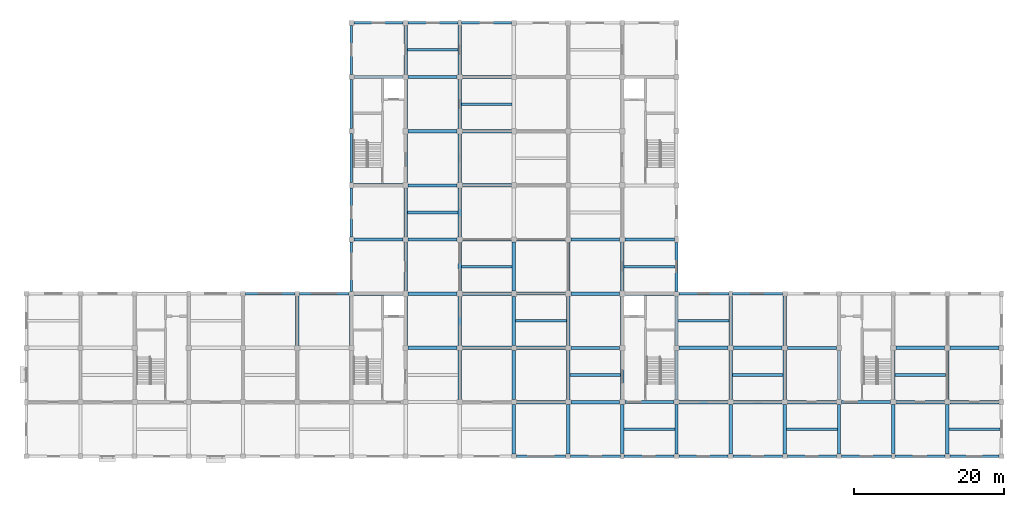
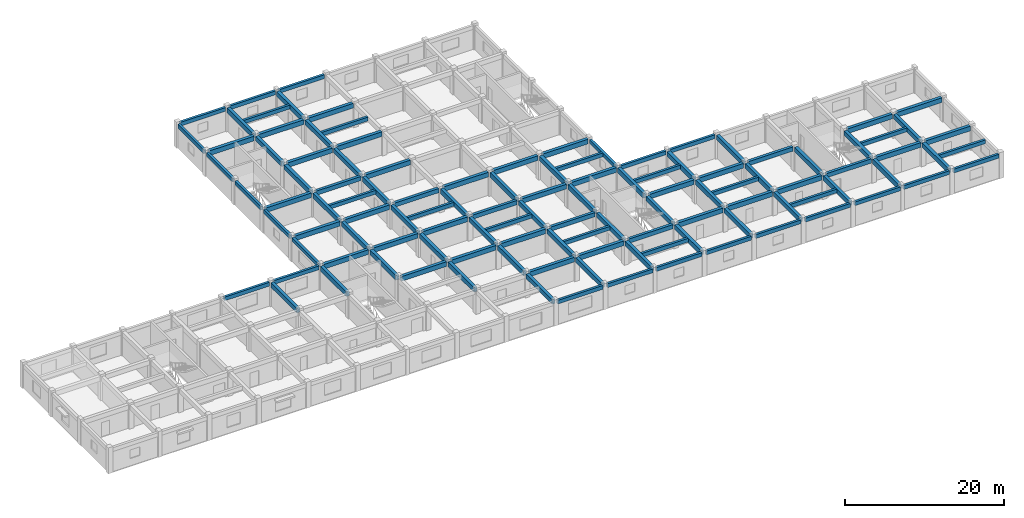
# One storey, part 2 of 11: 115 beams.
"""IFC4 building model written with IfcOpenShell, lengths in metres."""

from ifc_helpers import new_model, si_unit, direction, frame, origin, origin_2d, place, context, subcontext, project, spatial, rectangle, extrude, material, material_profile, profile_set, type_object, element, save


model = new_model("IFC4")

# Units and contexts
model_context = context("Model", 3, precision=1e-05, world=origin(), true_north=direction((0.0, 1.0)))
body_context = subcontext(model_context, "Body", "Model", "MODEL_VIEW")
ifc_project = project(units=[si_unit("LENGTHUNIT", "METRE"), si_unit("AREAUNIT", "SQUARE_METRE"), si_unit("VOLUMEUNIT", "CUBIC_METRE"), si_unit("PLANEANGLEUNIT", "RADIAN"), si_unit("MASSUNIT", "GRAM", prefix="KILO")], contexts=[model_context])

# Site, building, storey
site_placement = place(None, origin())
site = spatial("IfcSite", under=ifc_project, at=site_placement, CompositionType="ELEMENT")
building_placement = place(site_placement, origin())
building = spatial("IfcBuilding", under=site, at=building_placement, Name="Cendaluz Park School", CompositionType="ELEMENT")
storey_placement = place(building_placement, frame((0.0, 0.0, 26.60009765625)))
storey = spatial("IfcBuildingStorey", under=building, at=storey_placement, Name="L06", CompositionType="ELEMENT", Elevation=26.60009765625)

# Beams
ifc_material = material(Name="Concrete C40/50", Category="concrete")
ifc_material_profile_1 = material_profile(ifc_material, rectangle(XDim=0.449951171875, YDim=0.719970703125, at=origin_2d()), Name="RC 450x720", Category="concrete")
ifc_profile_set_1 = profile_set([ifc_material_profile_1], Name="Concrete C40/50")
beam_type_1 = type_object("IfcBeamType", Name="BM-RC02", PredefinedType="BEAM", material=ifc_profile_set_1)
for number, where, z_axis, x_axis, name in (
    (1, (65.125, 28.800048828125, 3.31982421875), (1.0, 0.0, 0.0), (0.0, 1.0, 0.0), "BM-L06-BMRC02-0026"),
    (2, (65.125, 36.0, 3.31982421875), (1.0, 0.0, 0.0), (0.0, 1.0, 0.0), "BM-L06-BMRC02-0027"),
):
    element("IfcBeam", number, at=place(storey_placement, frame(where, z_axis=z_axis, x_axis=x_axis)), inside=storey, type_object=beam_type_1, Name=name, PredefinedType="BEAM", context=body_context, shape_type="SweptSolid", body=[
        extrude(rectangle(XDim=0.449951171875, YDim=0.719970703125, at=origin_2d()), origin(), (0.0, 0.0, 1.0), 6.52490234375),
    ])
beam_1_placement = place(storey_placement, frame((65.050048828125, 43.199951171875, 3.31982421875), z_axis=(1.0, 0.0, 0.0), x_axis=(0.0, 1.0, 0.0)))
element("IfcBeam", 3, at=beam_1_placement, inside=storey, type_object=beam_type_1, Name="BM-L06-BMRC02-0028", PredefinedType="BEAM", context=body_context, shape_type="SweptSolid", body=[
    extrude(rectangle(XDim=0.449951171875, YDim=0.719970703125, at=origin_2d()), origin(), (0.0, 0.0, 1.0), 6.599853515625),
])
beam_2_placement = place(storey_placement, frame((65.125, 57.60009765625, 3.31982421875), z_axis=(1.0, 0.0, 0.0), x_axis=(0.0, 1.0, 0.0)))
element("IfcBeam", 4, at=beam_2_placement, inside=storey, type_object=beam_type_1, Name="BM-L06-BMRC02-0029", PredefinedType="BEAM", context=body_context, shape_type="SweptSolid", body=[
    extrude(rectangle(XDim=0.449951171875, YDim=0.719970703125, at=origin_2d()), origin(), (0.0, 0.0, 1.0), 6.52490234375),
])
for number, where, z_axis, x_axis, name in (
    (5, (72.35009765625, 21.60009765625, 3.31982421875), (1.0, 0.0, 0.0), (0.0, 1.0, 0.0), "BM-L06-BMRC02-0033"),
    (6, (72.35009765625, 28.800048828125, 3.31982421875), (1.0, 0.0, 0.0), (0.0, 1.0, 0.0), "BM-L06-BMRC02-0034"),
    (7, (72.35009765625, 36.0, 3.31982421875), (1.0, 0.0, 0.0), (0.0, 1.0, 0.0), "BM-L06-BMRC02-0035"),
    (8, (72.35009765625, 50.39990234375, 3.31982421875), (1.0, 0.0, 0.0), (0.0, 1.0, 0.0), "BM-L06-BMRC02-0037"),
    (9, (72.35009765625, 57.60009765625, 3.31982421875), (1.0, 0.0, 0.0), (0.0, 1.0, 0.0), "BM-L06-BMRC02-0038"),
    (10, (79.550048828125, 21.60009765625, 3.31982421875), (1.0, 0.0, 0.0), (0.0, 1.0, 0.0), "BM-L06-BMRC02-0042"),
    (11, (79.550048828125, 28.800048828125, 3.31982421875), (1.0, 0.0, 0.0), (0.0, 1.0, 0.0), "BM-L06-BMRC02-0043"),
    (12, (79.550048828125, 43.199951171875, 3.31982421875), (1.0, 0.0, 0.0), (0.0, 1.0, 0.0), "BM-L06-BMRC02-0045"),
    (13, (79.550048828125, 50.39990234375, 3.31982421875), (1.0, 0.0, 0.0), (0.0, 1.0, 0.0), "BM-L06-BMRC02-0046"),
    (14, (79.550048828125, 57.60009765625, 3.31982421875), (1.0, 0.0, 0.0), (0.0, 1.0, 0.0), "BM-L06-BMRC02-0047"),
    (15, (86.75, 14.39990234375, 3.31982421875), (1.0, 0.0, 0.0), (0.0, 1.0, 0.0), "BM-L06-BMRC02-0050"),
    (16, (86.75, 21.60009765625, 3.31982421875), (1.0, 0.0, 0.0), (0.0, 1.0, 0.0), "BM-L06-BMRC02-0051"),
    (17, (86.75, 36.0, 3.31982421875), (1.0, 0.0, 0.0), (0.0, 1.0, 0.0), "BM-L06-BMRC02-0053"),
    (18, (93.949951171875, 14.39990234375, 3.31982421875), (1.0, 0.0, 0.0), (0.0, 1.0, 0.0), "BM-L06-BMRC02-0059"),
    (19, (93.949951171875, 28.800048828125, 3.31982421875), (1.0, 0.0, 0.0), (0.0, 1.0, 0.0), "BM-L06-BMRC02-0061"),
    (20, (93.949951171875, 36.0, 3.31982421875), (1.0, 0.0, 0.0), (0.0, 1.0, 0.0), "BM-L06-BMRC02-0062"),
):
    element("IfcBeam", number, at=place(storey_placement, frame(where, z_axis=z_axis, x_axis=x_axis)), inside=storey, type_object=beam_type_1, Name=name, PredefinedType="BEAM", context=body_context, shape_type="SweptSolid", body=[
        extrude(rectangle(XDim=0.449951171875, YDim=0.719970703125, at=origin_2d()), origin(), (0.0, 0.0, 1.0), 6.5),
    ])
beam_3_placement = place(storey_placement, frame((101.14990234375, 28.800048828125, 3.31982421875), z_axis=(1.0, 0.0, 0.0), x_axis=(0.0, 1.0, 0.0)))
element("IfcBeam", 21, at=beam_3_placement, inside=storey, type_object=beam_type_1, Name="BM-L06-BMRC02-0069", PredefinedType="BEAM", context=body_context, shape_type="SweptSolid", body=[
    extrude(rectangle(XDim=0.449951171875, YDim=0.719970703125, at=origin_2d()), origin(), (0.0, 0.0, 1.0), 6.525146484375),
])
beam_4_placement = place(storey_placement, frame((101.14990234375, 36.0, 3.31982421875), z_axis=(1.0, 0.0, 0.0), x_axis=(0.0, 1.0, 0.0)))
element("IfcBeam", 22, at=beam_4_placement, inside=storey, type_object=beam_type_1, Name="BM-L06-BMRC02-0070", PredefinedType="BEAM", context=body_context, shape_type="SweptSolid", body=[
    extrude(rectangle(XDim=0.449951171875, YDim=0.719970703125, at=origin_2d()), origin(), (0.0, 0.0, 1.0), 6.60009765625),
])
for number, where, z_axis, x_axis, name in (
    (23, (108.35009765625, 14.39990234375, 3.31982421875), (1.0, 0.0, 0.0), (0.0, 1.0, 0.0), "BM-L06-BMRC02-0075"),
    (24, (108.35009765625, 21.60009765625, 3.31982421875), (1.0, 0.0, 0.0), (0.0, 1.0, 0.0), "BM-L06-BMRC02-0076"),
    (25, (115.550048828125, 14.39990234375, 3.31982421875), (1.0, 0.0, 0.0), (0.0, 1.0, 0.0), "BM-L06-BMRC02-0079"),
    (26, (115.550048828125, 21.60009765625, 3.31982421875), (1.0, 0.0, 0.0), (0.0, 1.0, 0.0), "BM-L06-BMRC02-0080"),
    (27, (122.75, 14.39990234375, 3.31982421875), (1.0, 0.0, 0.0), (0.0, 1.0, 0.0), "BM-L06-BMRC02-0083"),
    (28, (137.14990234375, 14.39990234375, 3.31982421875), (1.0, 0.0, 0.0), (0.0, 1.0, 0.0), "BM-L06-BMRC02-0090"),
    (29, (137.14990234375, 21.60009765625, 3.31982421875), (1.0, 0.0, 0.0), (0.0, 1.0, 0.0), "BM-L06-BMRC02-0091"),
):
    element("IfcBeam", number, at=place(storey_placement, frame(where, z_axis=z_axis, x_axis=x_axis)), inside=storey, type_object=beam_type_1, Name=name, PredefinedType="BEAM", context=body_context, shape_type="SweptSolid", body=[
        extrude(rectangle(XDim=0.449951171875, YDim=0.719970703125, at=origin_2d()), origin(), (0.0, 0.0, 1.0), 6.5),
    ])
for number, where, z_axis, x_axis, name in (
    (30, (144.35009765625, 14.39990234375, 3.31982421875), (1.0, 0.0, 0.0), (0.0, 1.0, 0.0), "BM-L06-BMRC02-0094"),
    (31, (144.35009765625, 21.60009765625, 3.31982421875), (1.0, 0.0, 0.0), (0.0, 1.0, 0.0), "BM-L06-BMRC02-0095"),
):
    element("IfcBeam", number, at=place(storey_placement, frame(where, z_axis=z_axis, x_axis=x_axis)), inside=storey, type_object=beam_type_1, Name=name, PredefinedType="BEAM", context=body_context, shape_type="SweptSolid", body=[
        extrude(rectangle(XDim=0.449951171875, YDim=0.719970703125, at=origin_2d()), origin(), (0.0, 0.0, 1.0), 6.52490234375),
    ])
for number, where, z_axis, x_axis, name in (
    (32, (57.60009765625, 21.949951171875, 3.31982421875), (0.0, 1.0, 0.0), (-1.0, 0.0, 0.0), "BM-L06-BMRC02-0114"),
    (33, (64.800048828125, 21.949951171875, 3.31982421875), (0.0, 1.0, 0.0), (-1.0, 0.0, 0.0), "BM-L06-BMRC02-0117"),
):
    element("IfcBeam", number, at=place(storey_placement, frame(where, z_axis=z_axis, x_axis=x_axis)), inside=storey, type_object=beam_type_1, Name=name, PredefinedType="BEAM", context=body_context, shape_type="SweptSolid", body=[
        extrude(rectangle(XDim=0.449951171875, YDim=0.719970703125, at=origin_2d()), origin(), (0.0, 0.0, 1.0), 6.525146484375),
    ])
for number, where, z_axis, x_axis, name in (
    (34, (72.0, 21.949951171875, 3.31982421875), (0.0, 1.0, 0.0), (-1.0, 0.0, 0.0), "BM-L06-BMRC02-0125"),
    (35, (72.0, 29.14990234375, 3.31982421875), (0.0, 1.0, 0.0), (-1.0, 0.0, 0.0), "BM-L06-BMRC02-0126"),
    (36, (72.0, 36.35009765625, 3.31982421875), (0.0, 1.0, 0.0), (-1.0, 0.0, 0.0), "BM-L06-BMRC02-0127"),
    (37, (72.0, 43.550048828125, 3.31982421875), (0.0, 1.0, 0.0), (-1.0, 0.0, 0.0), "BM-L06-BMRC02-0128"),
    (38, (72.0, 50.75, 3.31982421875), (0.0, 1.0, 0.0), (-1.0, 0.0, 0.0), "BM-L06-BMRC02-0129"),
):
    element("IfcBeam", number, at=place(storey_placement, frame(where, z_axis=z_axis, x_axis=x_axis)), inside=storey, type_object=beam_type_1, Name=name, PredefinedType="BEAM", context=body_context, shape_type="SweptSolid", body=[
        extrude(rectangle(XDim=0.449951171875, YDim=0.719970703125, at=origin_2d()), origin(), (0.0, 0.0, 1.0), 6.5),
    ])
beam_5_placement = place(storey_placement, frame((72.0, 57.949951171875, 3.31982421875), z_axis=(0.0, 1.0, 0.0), x_axis=(-1.0, 0.0, 0.0)))
element("IfcBeam", 39, at=beam_5_placement, inside=storey, type_object=beam_type_1, Name="BM-L06-BMRC02-0130", PredefinedType="BEAM", context=body_context, shape_type="SweptSolid", body=[
    extrude(rectangle(XDim=0.449951171875, YDim=0.719970703125, at=origin_2d()), origin(), (0.0, 0.0, 1.0), 6.525146484375),
])
for number, where, z_axis, x_axis, name in (
    (40, (79.199951171875, 14.75, 3.31982421875), (0.0, 1.0, 0.0), (-1.0, 0.0, 0.0), "BM-L06-BMRC02-0132"),
    (41, (79.199951171875, 21.949951171875, 3.31982421875), (0.0, 1.0, 0.0), (-1.0, 0.0, 0.0), "BM-L06-BMRC02-0133"),
    (42, (79.199951171875, 29.14990234375, 3.31982421875), (0.0, 1.0, 0.0), (-1.0, 0.0, 0.0), "BM-L06-BMRC02-0134"),
    (43, (79.199951171875, 36.35009765625, 3.31982421875), (0.0, 1.0, 0.0), (-1.0, 0.0, 0.0), "BM-L06-BMRC02-0135"),
    (44, (79.199951171875, 43.550048828125, 3.31982421875), (0.0, 1.0, 0.0), (-1.0, 0.0, 0.0), "BM-L06-BMRC02-0136"),
    (45, (79.199951171875, 50.75, 3.31982421875), (0.0, 1.0, 0.0), (-1.0, 0.0, 0.0), "BM-L06-BMRC02-0137"),
):
    element("IfcBeam", number, at=place(storey_placement, frame(where, z_axis=z_axis, x_axis=x_axis)), inside=storey, type_object=beam_type_1, Name=name, PredefinedType="BEAM", context=body_context, shape_type="SweptSolid", body=[
        extrude(rectangle(XDim=0.449951171875, YDim=0.719970703125, at=origin_2d()), origin(), (0.0, 0.0, 1.0), 6.5),
    ])
beam_6_placement = place(storey_placement, frame((79.199951171875, 57.949951171875, 3.31982421875), z_axis=(0.0, 1.0, 0.0), x_axis=(-1.0, 0.0, 0.0)))
element("IfcBeam", 46, at=beam_6_placement, inside=storey, type_object=beam_type_1, Name="BM-L06-BMRC02-0138", PredefinedType="BEAM", context=body_context, shape_type="SweptSolid", body=[
    extrude(rectangle(XDim=0.449951171875, YDim=0.719970703125, at=origin_2d()), origin(), (0.0, 0.0, 1.0), 6.47509765625),
])
beam_7_placement = place(storey_placement, frame((86.39990234375, 7.52490234375, 3.31982421875), z_axis=(0.0, 1.0, 0.0), x_axis=(-1.0, 0.0, 0.0)))
element("IfcBeam", 47, at=beam_7_placement, inside=storey, type_object=beam_type_1, Name="BM-L06-BMRC02-0139", PredefinedType="BEAM", context=body_context, shape_type="SweptSolid", body=[
    extrude(rectangle(XDim=0.449951171875, YDim=0.719970703125, at=origin_2d()), origin(), (0.0, 0.0, 1.0), 6.525146484375),
])
for number, where, z_axis, x_axis, name in (
    (48, (86.39990234375, 14.75, 3.31982421875), (0.0, 1.0, 0.0), (-1.0, 0.0, 0.0), "BM-L06-BMRC02-0140"),
    (49, (86.39990234375, 21.949951171875, 3.31982421875), (0.0, 1.0, 0.0), (-1.0, 0.0, 0.0), "BM-L06-BMRC02-0141"),
    (50, (86.39990234375, 29.14990234375, 3.31982421875), (0.0, 1.0, 0.0), (-1.0, 0.0, 0.0), "BM-L06-BMRC02-0142"),
):
    element("IfcBeam", number, at=place(storey_placement, frame(where, z_axis=z_axis, x_axis=x_axis)), inside=storey, type_object=beam_type_1, Name=name, PredefinedType="BEAM", context=body_context, shape_type="SweptSolid", body=[
        extrude(rectangle(XDim=0.449951171875, YDim=0.719970703125, at=origin_2d()), origin(), (0.0, 0.0, 1.0), 6.5),
    ])
beam_8_placement = place(storey_placement, frame((93.60009765625, 7.52490234375, 3.31982421875), z_axis=(0.0, 1.0, 0.0), x_axis=(-1.0, 0.0, 0.0)))
element("IfcBeam", 51, at=beam_8_placement, inside=storey, type_object=beam_type_1, Name="BM-L06-BMRC02-0147", PredefinedType="BEAM", context=body_context, shape_type="SweptSolid", body=[
    extrude(rectangle(XDim=0.449951171875, YDim=0.719970703125, at=origin_2d()), origin(), (0.0, 0.0, 1.0), 6.525146484375),
])
for number, where, z_axis, x_axis, name in (
    (52, (93.60009765625, 14.75, 3.31982421875), (0.0, 1.0, 0.0), (-1.0, 0.0, 0.0), "BM-L06-BMRC02-0148"),
    (53, (93.60009765625, 21.949951171875, 3.31982421875), (0.0, 1.0, 0.0), (-1.0, 0.0, 0.0), "BM-L06-BMRC02-0149"),
    (54, (93.60009765625, 29.14990234375, 3.31982421875), (0.0, 1.0, 0.0), (-1.0, 0.0, 0.0), "BM-L06-BMRC02-0150"),
):
    element("IfcBeam", number, at=place(storey_placement, frame(where, z_axis=z_axis, x_axis=x_axis)), inside=storey, type_object=beam_type_1, Name=name, PredefinedType="BEAM", context=body_context, shape_type="SweptSolid", body=[
        extrude(rectangle(XDim=0.449951171875, YDim=0.719970703125, at=origin_2d()), origin(), (0.0, 0.0, 1.0), 6.5),
    ])
beam_9_placement = place(storey_placement, frame((100.800048828125, 7.574951171875, 3.31982421875), z_axis=(0.0, 1.0, 0.0), x_axis=(-1.0, 0.0, 0.0)))
element("IfcBeam", 55, at=beam_9_placement, inside=storey, type_object=beam_type_1, Name="BM-L06-BMRC02-0155", PredefinedType="BEAM", context=body_context, shape_type="SweptSolid", body=[
    extrude(rectangle(XDim=0.449951171875, YDim=0.719970703125, at=origin_2d()), origin(), (0.0, 0.0, 1.0), 6.47509765625),
])
for number, where, z_axis, x_axis, name in (
    (56, (100.800048828125, 14.75, 3.31982421875), (0.0, 1.0, 0.0), (-1.0, 0.0, 0.0), "BM-L06-BMRC02-0156"),
    (57, (100.800048828125, 21.949951171875, 3.31982421875), (0.0, 1.0, 0.0), (-1.0, 0.0, 0.0), "BM-L06-BMRC02-0157"),
    (58, (100.800048828125, 29.14990234375, 3.31982421875), (0.0, 1.0, 0.0), (-1.0, 0.0, 0.0), "BM-L06-BMRC02-0158"),
):
    element("IfcBeam", number, at=place(storey_placement, frame(where, z_axis=z_axis, x_axis=x_axis)), inside=storey, type_object=beam_type_1, Name=name, PredefinedType="BEAM", context=body_context, shape_type="SweptSolid", body=[
        extrude(rectangle(XDim=0.449951171875, YDim=0.719970703125, at=origin_2d()), origin(), (0.0, 0.0, 1.0), 6.5),
    ])
beam_10_placement = place(storey_placement, frame((108.0, 7.52490234375, 3.31982421875), z_axis=(0.0, 1.0, 0.0), x_axis=(-1.0, 0.0, 0.0)))
element("IfcBeam", 59, at=beam_10_placement, inside=storey, type_object=beam_type_1, Name="BM-L06-BMRC02-0163", PredefinedType="BEAM", context=body_context, shape_type="SweptSolid", body=[
    extrude(rectangle(XDim=0.449951171875, YDim=0.719970703125, at=origin_2d()), origin(), (0.0, 0.0, 1.0), 6.525146484375),
])
beam_11_placement = place(storey_placement, frame((108.0, 14.75, 3.31982421875), z_axis=(0.0, 1.0, 0.0), x_axis=(-1.0, 0.0, 0.0)))
element("IfcBeam", 60, at=beam_11_placement, inside=storey, type_object=beam_type_1, Name="BM-L06-BMRC02-0164", PredefinedType="BEAM", context=body_context, shape_type="SweptSolid", body=[
    extrude(rectangle(XDim=0.449951171875, YDim=0.719970703125, at=origin_2d()), origin(), (0.0, 0.0, 1.0), 6.5),
])
for number, where, z_axis, x_axis, name in (
    (61, (108.0, 21.949951171875, 3.31982421875), (0.0, 1.0, 0.0), (-1.0, 0.0, 0.0), "BM-L06-BMRC02-0165"),
    (62, (115.199951171875, 7.52490234375, 3.31982421875), (0.0, 1.0, 0.0), (-1.0, 0.0, 0.0), "BM-L06-BMRC02-0171"),
):
    element("IfcBeam", number, at=place(storey_placement, frame(where, z_axis=z_axis, x_axis=x_axis)), inside=storey, type_object=beam_type_1, Name=name, PredefinedType="BEAM", context=body_context, shape_type="SweptSolid", body=[
        extrude(rectangle(XDim=0.449951171875, YDim=0.719970703125, at=origin_2d()), origin(), (0.0, 0.0, 1.0), 6.525146484375),
    ])
beam_12_placement = place(storey_placement, frame((115.199951171875, 14.75, 3.31982421875), z_axis=(0.0, 1.0, 0.0), x_axis=(-1.0, 0.0, 0.0)))
element("IfcBeam", 63, at=beam_12_placement, inside=storey, type_object=beam_type_1, Name="BM-L06-BMRC02-0172", PredefinedType="BEAM", context=body_context, shape_type="SweptSolid", body=[
    extrude(rectangle(XDim=0.449951171875, YDim=0.719970703125, at=origin_2d()), origin(), (0.0, 0.0, 1.0), 6.5),
])
beam_13_placement = place(storey_placement, frame((115.199951171875, 21.949951171875, 3.31982421875), z_axis=(0.0, 1.0, 0.0), x_axis=(-1.0, 0.0, 0.0)))
element("IfcBeam", 64, at=beam_13_placement, inside=storey, type_object=beam_type_1, Name="BM-L06-BMRC02-0173", PredefinedType="BEAM", context=body_context, shape_type="SweptSolid", body=[
    extrude(rectangle(XDim=0.449951171875, YDim=0.719970703125, at=origin_2d()), origin(), (0.0, 0.0, 1.0), 6.47509765625),
])
beam_14_placement = place(storey_placement, frame((122.39990234375, 7.52490234375, 3.31982421875), z_axis=(0.0, 1.0, 0.0), x_axis=(-1.0, 0.0, 0.0)))
element("IfcBeam", 65, at=beam_14_placement, inside=storey, type_object=beam_type_1, Name="BM-L06-BMRC02-0174", PredefinedType="BEAM", context=body_context, shape_type="SweptSolid", body=[
    extrude(rectangle(XDim=0.449951171875, YDim=0.719970703125, at=origin_2d()), origin(), (0.0, 0.0, 1.0), 6.525146484375),
])
beam_15_placement = place(storey_placement, frame((122.39990234375, 14.75, 3.31982421875), z_axis=(0.0, 1.0, 0.0), x_axis=(-1.0, 0.0, 0.0)))
element("IfcBeam", 66, at=beam_15_placement, inside=storey, type_object=beam_type_1, Name="BM-L06-BMRC02-0175", PredefinedType="BEAM", context=body_context, shape_type="SweptSolid", body=[
    extrude(rectangle(XDim=0.449951171875, YDim=0.719970703125, at=origin_2d()), origin(), (0.0, 0.0, 1.0), 6.5),
])
for number, where, z_axis, x_axis, name in (
    (67, (122.39990234375, 21.949951171875, 3.31982421875), (0.0, 1.0, 0.0), (-1.0, 0.0, 0.0), "BM-L06-BMRC02-0176"),
    (68, (129.60009765625, 7.52490234375, 3.31982421875), (0.0, 1.0, 0.0), (-1.0, 0.0, 0.0), "BM-L06-BMRC02-0177"),
):
    element("IfcBeam", number, at=place(storey_placement, frame(where, z_axis=z_axis, x_axis=x_axis)), inside=storey, type_object=beam_type_1, Name=name, PredefinedType="BEAM", context=body_context, shape_type="SweptSolid", body=[
        extrude(rectangle(XDim=0.449951171875, YDim=0.719970703125, at=origin_2d()), origin(), (0.0, 0.0, 1.0), 6.525146484375),
    ])
beam_16_placement = place(storey_placement, frame((129.60009765625, 14.75, 3.31982421875), z_axis=(0.0, 1.0, 0.0), x_axis=(-1.0, 0.0, 0.0)))
element("IfcBeam", 69, at=beam_16_placement, inside=storey, type_object=beam_type_1, Name="BM-L06-BMRC02-0178", PredefinedType="BEAM", context=body_context, shape_type="SweptSolid", body=[
    extrude(rectangle(XDim=0.449951171875, YDim=0.719970703125, at=origin_2d()), origin(), (0.0, 0.0, 1.0), 6.5),
])
beam_17_placement = place(storey_placement, frame((136.800048828125, 7.574951171875, 3.31982421875), z_axis=(0.0, 1.0, 0.0), x_axis=(-1.0, 0.0, 0.0)))
element("IfcBeam", 70, at=beam_17_placement, inside=storey, type_object=beam_type_1, Name="BM-L06-BMRC02-0180", PredefinedType="BEAM", context=body_context, shape_type="SweptSolid", body=[
    extrude(rectangle(XDim=0.449951171875, YDim=0.719970703125, at=origin_2d()), origin(), (0.0, 0.0, 1.0), 6.47509765625),
])
beam_18_placement = place(storey_placement, frame((136.800048828125, 14.75, 3.31982421875), z_axis=(0.0, 1.0, 0.0), x_axis=(-1.0, 0.0, 0.0)))
element("IfcBeam", 71, at=beam_18_placement, inside=storey, type_object=beam_type_1, Name="BM-L06-BMRC02-0181", PredefinedType="BEAM", context=body_context, shape_type="SweptSolid", body=[
    extrude(rectangle(XDim=0.449951171875, YDim=0.719970703125, at=origin_2d()), origin(), (0.0, 0.0, 1.0), 6.5),
])
beam_19_placement = place(storey_placement, frame((144.0, 7.52490234375, 3.31982421875), z_axis=(0.0, 1.0, 0.0), x_axis=(-1.0, 0.0, 0.0)))
element("IfcBeam", 72, at=beam_19_placement, inside=storey, type_object=beam_type_1, Name="BM-L06-BMRC02-0183", PredefinedType="BEAM", context=body_context, shape_type="SweptSolid", body=[
    extrude(rectangle(XDim=0.449951171875, YDim=0.719970703125, at=origin_2d()), origin(), (0.0, 0.0, 1.0), 6.525146484375),
])
beam_20_placement = place(storey_placement, frame((144.0, 14.75, 3.31982421875), z_axis=(0.0, 1.0, 0.0), x_axis=(-1.0, 0.0, 0.0)))
element("IfcBeam", 73, at=beam_20_placement, inside=storey, type_object=beam_type_1, Name="BM-L06-BMRC02-0184", PredefinedType="BEAM", context=body_context, shape_type="SweptSolid", body=[
    extrude(rectangle(XDim=0.449951171875, YDim=0.719970703125, at=origin_2d()), origin(), (0.0, 0.0, 1.0), 6.5),
])
ifc_material_profile_2 = material_profile(ifc_material, rectangle(XDim=0.39990234375, YDim=0.64990234375, at=origin_2d()), Name="RC 400x650", Category="concrete")
ifc_profile_set_2 = profile_set([ifc_material_profile_2], Name="Concrete C40/50")
beam_type_2 = type_object("IfcBeamType", Name="BM-RC03", PredefinedType="T_BEAM", material=ifc_profile_set_2)
for number, where, z_axis, x_axis, name in (
    (74, (72.35009765625, 43.199951171875, 3.35498046875), (1.0, 0.0, 0.0), (0.0, 1.0, 0.0), "BM-L06-BMRC03-0036"),
    (75, (79.550048828125, 36.0, 3.35498046875), (1.0, 0.0, 0.0), (0.0, 1.0, 0.0), "BM-L06-BMRC03-0044"),
    (76, (86.75, 28.800048828125, 3.35498046875), (1.0, 0.0, 0.0), (0.0, 1.0, 0.0), "BM-L06-BMRC03-0052"),
    (77, (93.949951171875, 21.60009765625, 3.35498046875), (1.0, 0.0, 0.0), (0.0, 1.0, 0.0), "BM-L06-BMRC03-0060"),
    (78, (101.14990234375, 14.39990234375, 3.35498046875), (1.0, 0.0, 0.0), (0.0, 1.0, 0.0), "BM-L06-BMRC03-0068"),
    (79, (122.75, 21.60009765625, 3.35498046875), (1.0, 0.0, 0.0), (0.0, 1.0, 0.0), "BM-L06-BMRC03-0084"),
    (80, (129.949951171875, 14.39990234375, 3.35498046875), (1.0, 0.0, 0.0), (0.0, 1.0, 0.0), "BM-L06-BMRC03-0087"),
):
    element("IfcBeam", number, at=place(storey_placement, frame(where, z_axis=z_axis, x_axis=x_axis)), inside=storey, type_object=beam_type_2, Name=name, PredefinedType="T_BEAM", context=body_context, shape_type="SweptSolid", body=[
        extrude(rectangle(XDim=0.39990234375, YDim=0.64990234375, at=origin_2d()), origin(), (0.0, 0.0, 1.0), 6.5),
    ])
ifc_material_profile_3 = material_profile(ifc_material, rectangle(XDim=0.35009765625, YDim=0.580078125, at=origin_2d()), Name="RC 350x580", Category="concrete")
ifc_profile_set_3 = profile_set([ifc_material_profile_3], Name="Concrete C40/50")
beam_type_3 = type_object("IfcBeamType", Name="BM-RC04", PredefinedType="LINTEL", material=ifc_profile_set_3)
beam_21_placement = place(storey_placement, frame((50.72509765625, 28.800048828125, 3.389892578125), z_axis=(1.0, 0.0, 0.0), x_axis=(0.0, 1.0, 0.0)))
element("IfcBeam", 81, at=beam_21_placement, inside=storey, type_object=beam_type_3, Name="BM-L06-BMRC04-0019", PredefinedType="LINTEL", context=body_context, shape_type="SweptSolid", body=[
    extrude(rectangle(XDim=0.35009765625, YDim=0.580078125, at=origin_2d()), origin(), (0.0, 0.0, 1.0), 6.5498046875),
])
for number, where, z_axis, x_axis, name in (
    (82, (57.925048828125, 28.800048828125, 3.389892578125), (1.0, 0.0, 0.0), (0.0, 1.0, 0.0), "BM-L06-BMRC04-0023"),
    (83, (65.125, 64.800048828125, 3.389892578125), (1.0, 0.0, 0.0), (0.0, 1.0, 0.0), "BM-L06-BMRC04-0030"),
):
    element("IfcBeam", number, at=place(storey_placement, frame(where, z_axis=z_axis, x_axis=x_axis)), inside=storey, type_object=beam_type_3, Name=name, PredefinedType="LINTEL", context=body_context, shape_type="SweptSolid", body=[
        extrude(rectangle(XDim=0.35009765625, YDim=0.580078125, at=origin_2d()), origin(), (0.0, 0.0, 1.0), 6.550048828125),
    ])
for number, where, z_axis, x_axis, name in (
    (84, (72.324951171875, 64.800048828125, 3.389892578125), (1.0, 0.0, 0.0), (0.0, 1.0, 0.0), "BM-L06-BMRC04-0039"),
    (85, (79.449951171875, 64.800048828125, 3.389892578125), (1.0, 0.0, 0.0), (0.0, 1.0, 0.0), "BM-L06-BMRC04-0048"),
):
    element("IfcBeam", number, at=place(storey_placement, frame(where, z_axis=z_axis, x_axis=x_axis)), inside=storey, type_object=beam_type_3, Name=name, PredefinedType="LINTEL", context=body_context, shape_type="SweptSolid", body=[
        extrude(rectangle(XDim=0.35009765625, YDim=0.580078125, at=origin_2d()), origin(), (0.0, 0.0, 1.0), 6.625),
    ])
beam_22_placement = place(storey_placement, frame((86.72509765625, 7.199951171875, 3.389892578125), z_axis=(1.0, 0.0, 0.0), x_axis=(0.0, 1.0, 0.0)))
element("IfcBeam", 86, at=beam_22_placement, inside=storey, type_object=beam_type_3, Name="BM-L06-BMRC04-0049", PredefinedType="LINTEL", context=body_context, shape_type="SweptSolid", body=[
    extrude(rectangle(XDim=0.35009765625, YDim=0.580078125, at=origin_2d()), origin(), (0.0, 0.0, 1.0), 6.5498046875),
])
for number, where, z_axis, x_axis, name in (
    (87, (93.925048828125, 7.199951171875, 3.389892578125), (1.0, 0.0, 0.0), (0.0, 1.0, 0.0), "BM-L06-BMRC04-0058"),
    (88, (101.050048828125, 7.199951171875, 3.389892578125), (1.0, 0.0, 0.0), (0.0, 1.0, 0.0), "BM-L06-BMRC04-0067"),
):
    element("IfcBeam", number, at=place(storey_placement, frame(where, z_axis=z_axis, x_axis=x_axis)), inside=storey, type_object=beam_type_3, Name=name, PredefinedType="LINTEL", context=body_context, shape_type="SweptSolid", body=[
        extrude(rectangle(XDim=0.35009765625, YDim=0.580078125, at=origin_2d()), origin(), (0.0, 0.0, 1.0), 6.625),
    ])
beam_23_placement = place(storey_placement, frame((108.324951171875, 7.199951171875, 3.389892578125), z_axis=(1.0, 0.0, 0.0), x_axis=(0.0, 1.0, 0.0)))
element("IfcBeam", 89, at=beam_23_placement, inside=storey, type_object=beam_type_3, Name="BM-L06-BMRC04-0074", PredefinedType="LINTEL", context=body_context, shape_type="SweptSolid", body=[
    extrude(rectangle(XDim=0.35009765625, YDim=0.580078125, at=origin_2d()), origin(), (0.0, 0.0, 1.0), 6.550048828125),
])
beam_24_placement = place(storey_placement, frame((108.324951171875, 28.800048828125, 3.389892578125), z_axis=(1.0, 0.0, 0.0), x_axis=(0.0, 1.0, 0.0)))
element("IfcBeam", 90, at=beam_24_placement, inside=storey, type_object=beam_type_3, Name="BM-L06-BMRC04-0077", PredefinedType="LINTEL", context=body_context, shape_type="SweptSolid", body=[
    extrude(rectangle(XDim=0.35009765625, YDim=0.580078125, at=origin_2d()), origin(), (0.0, 0.0, 1.0), 6.625),
])
beam_25_placement = place(storey_placement, frame((115.52490234375, 7.199951171875, 3.389892578125), z_axis=(1.0, 0.0, 0.0), x_axis=(0.0, 1.0, 0.0)))
element("IfcBeam", 91, at=beam_25_placement, inside=storey, type_object=beam_type_3, Name="BM-L06-BMRC04-0078", PredefinedType="LINTEL", context=body_context, shape_type="SweptSolid", body=[
    extrude(rectangle(XDim=0.35009765625, YDim=0.580078125, at=origin_2d()), origin(), (0.0, 0.0, 1.0), 6.550048828125),
])
beam_26_placement = place(storey_placement, frame((115.449951171875, 28.800048828125, 3.389892578125), z_axis=(1.0, 0.0, 0.0), x_axis=(0.0, 1.0, 0.0)))
element("IfcBeam", 92, at=beam_26_placement, inside=storey, type_object=beam_type_3, Name="BM-L06-BMRC04-0081", PredefinedType="LINTEL", context=body_context, shape_type="SweptSolid", body=[
    extrude(rectangle(XDim=0.35009765625, YDim=0.580078125, at=origin_2d()), origin(), (0.0, 0.0, 1.0), 6.625),
])
beam_27_placement = place(storey_placement, frame((122.72509765625, 7.199951171875, 3.389892578125), z_axis=(1.0, 0.0, 0.0), x_axis=(0.0, 1.0, 0.0)))
element("IfcBeam", 93, at=beam_27_placement, inside=storey, type_object=beam_type_3, Name="BM-L06-BMRC04-0082", PredefinedType="LINTEL", context=body_context, shape_type="SweptSolid", body=[
    extrude(rectangle(XDim=0.35009765625, YDim=0.580078125, at=origin_2d()), origin(), (0.0, 0.0, 1.0), 6.5498046875),
])
for number, where, z_axis, x_axis, name in (
    (94, (129.925048828125, 7.199951171875, 3.389892578125), (1.0, 0.0, 0.0), (0.0, 1.0, 0.0), "BM-L06-BMRC04-0086"),
    (95, (137.050048828125, 7.199951171875, 3.389892578125), (1.0, 0.0, 0.0), (0.0, 1.0, 0.0), "BM-L06-BMRC04-0089"),
):
    element("IfcBeam", number, at=place(storey_placement, frame(where, z_axis=z_axis, x_axis=x_axis)), inside=storey, type_object=beam_type_3, Name=name, PredefinedType="LINTEL", context=body_context, shape_type="SweptSolid", body=[
        extrude(rectangle(XDim=0.35009765625, YDim=0.580078125, at=origin_2d()), origin(), (0.0, 0.0, 1.0), 6.625),
    ])
for number, where, z_axis, x_axis, name in (
    (96, (144.324951171875, 7.199951171875, 3.389892578125), (1.0, 0.0, 0.0), (0.0, 1.0, 0.0), "BM-L06-BMRC04-0093"),
    (97, (64.800048828125, 29.125, 3.389892578125), (0.0, 1.0, 0.0), (-1.0, 0.0, 0.0), "BM-L06-BMRC04-0118"),
):
    element("IfcBeam", number, at=place(storey_placement, frame(where, z_axis=z_axis, x_axis=x_axis)), inside=storey, type_object=beam_type_3, Name=name, PredefinedType="LINTEL", context=body_context, shape_type="SweptSolid", body=[
        extrude(rectangle(XDim=0.35009765625, YDim=0.580078125, at=origin_2d()), origin(), (0.0, 0.0, 1.0), 6.550048828125),
    ])
for number, where, z_axis, x_axis, name in (
    (98, (64.800048828125, 36.324951171875, 3.389892578125), (0.0, 1.0, 0.0), (-1.0, 0.0, 0.0), "BM-L06-BMRC04-0119"),
    (99, (64.800048828125, 43.574951171875, 3.389892578125), (0.0, 1.0, 0.0), (-1.0, 0.0, 0.0), "BM-L06-BMRC04-0120"),
):
    element("IfcBeam", number, at=place(storey_placement, frame(where, z_axis=z_axis, x_axis=x_axis)), inside=storey, type_object=beam_type_3, Name=name, PredefinedType="LINTEL", context=body_context, shape_type="SweptSolid", body=[
        extrude(rectangle(XDim=0.35009765625, YDim=0.580078125, at=origin_2d()), origin(), (0.0, 0.0, 1.0), 6.5),
    ])
beam_28_placement = place(storey_placement, frame((64.800048828125, 50.72509765625, 3.389892578125), z_axis=(0.0, 1.0, 0.0), x_axis=(-1.0, 0.0, 0.0)))
element("IfcBeam", 100, at=beam_28_placement, inside=storey, type_object=beam_type_3, Name="BM-L06-BMRC04-0121", PredefinedType="LINTEL", context=body_context, shape_type="SweptSolid", body=[
    extrude(rectangle(XDim=0.35009765625, YDim=0.580078125, at=origin_2d()), origin(), (0.0, 0.0, 1.0), 6.5498046875),
])
beam_29_placement = place(storey_placement, frame((64.800048828125, 57.925048828125, 3.389892578125), z_axis=(0.0, 1.0, 0.0), x_axis=(-1.0, 0.0, 0.0)))
element("IfcBeam", 101, at=beam_29_placement, inside=storey, type_object=beam_type_3, Name="BM-L06-BMRC04-0122", PredefinedType="LINTEL", context=body_context, shape_type="SweptSolid", body=[
    extrude(rectangle(XDim=0.35009765625, YDim=0.580078125, at=origin_2d()), origin(), (0.0, 0.0, 1.0), 6.550048828125),
])
beam_30_placement = place(storey_placement, frame((108.0, 29.125, 3.389892578125), z_axis=(0.0, 1.0, 0.0), x_axis=(-1.0, 0.0, 0.0)))
element("IfcBeam", 102, at=beam_30_placement, inside=storey, type_object=beam_type_3, Name="BM-L06-BMRC04-0166", PredefinedType="LINTEL", context=body_context, shape_type="SweptSolid", body=[
    extrude(rectangle(XDim=0.35009765625, YDim=0.580078125, at=origin_2d()), origin(), (0.0, 0.0, 1.0), 6.5),
])
ifc_material_profile_4 = material_profile(ifc_material, rectangle(XDim=0.35009765625, YDim=0.580078125, at=origin_2d()), Name="RC 350x580", Category="concrete")
ifc_profile_set_4 = profile_set([ifc_material_profile_4], Name="Concrete C40/50")
beam_type_4 = type_object("IfcBeamType", Name="JT-RC01", PredefinedType="JOIST", material=ifc_profile_set_4)
for number, where, z_axis, x_axis, name in (
    (103, (72.22509765625, 39.60009765625, 3.389892578125), (1.0, 0.0, 0.0), (0.0, 1.0, 0.0), "BM-L06-JTRC01-0196"),
    (104, (72.22509765625, 61.199951171875, 3.389892578125), (1.0, 0.0, 0.0), (0.0, 1.0, 0.0), "BM-L06-JTRC01-0197"),
    (105, (79.425048828125, 32.39990234375, 3.389892578125), (1.0, 0.0, 0.0), (0.0, 1.0, 0.0), "BM-L06-JTRC01-0199"),
    (106, (79.425048828125, 54.0, 3.389892578125), (1.0, 0.0, 0.0), (0.0, 1.0, 0.0), "BM-L06-JTRC01-0200"),
    (107, (86.625, 25.199951171875, 3.389892578125), (1.0, 0.0, 0.0), (0.0, 1.0, 0.0), "BM-L06-JTRC01-0201"),
    (108, (93.824951171875, 18.0, 3.389892578125), (1.0, 0.0, 0.0), (0.0, 1.0, 0.0), "BM-L06-JTRC01-0203"),
    (109, (101.02490234375, 10.800048828125, 3.389892578125), (1.0, 0.0, 0.0), (0.0, 1.0, 0.0), "BM-L06-JTRC01-0206"),
):
    element("IfcBeam", number, at=place(storey_placement, frame(where, z_axis=z_axis, x_axis=x_axis)), inside=storey, type_object=beam_type_4, Name=name, PredefinedType="JOIST", context=body_context, shape_type="SweptSolid", body=[
        extrude(rectangle(XDim=0.35009765625, YDim=0.580078125, at=origin_2d()), origin(), (0.0, 0.0, 1.0), 6.75),
    ])
beam_31_placement = place(storey_placement, frame((101.02490234375, 32.39990234375, 3.389892578125), z_axis=(1.0, 0.0, 0.0), x_axis=(0.0, 1.0, 0.0)))
element("IfcBeam", 110, at=beam_31_placement, inside=storey, type_object=beam_type_4, Name="BM-L06-JTRC01-0207", PredefinedType="JOIST", context=body_context, shape_type="SweptSolid", body=[
    extrude(rectangle(XDim=0.35009765625, YDim=0.580078125, at=origin_2d()), origin(), (0.0, 0.0, 1.0), 6.800048828125),
])
for number, where, z_axis, x_axis, name in (
    (111, (108.22509765625, 25.199951171875, 3.389892578125), (1.0, 0.0, 0.0), (0.0, 1.0, 0.0), "BM-L06-JTRC01-0208"),
    (112, (115.425048828125, 18.0, 3.389892578125), (1.0, 0.0, 0.0), (0.0, 1.0, 0.0), "BM-L06-JTRC01-0209"),
    (113, (122.625, 10.800048828125, 3.389892578125), (1.0, 0.0, 0.0), (0.0, 1.0, 0.0), "BM-L06-JTRC01-0210"),
    (114, (137.02490234375, 18.0, 3.389892578125), (1.0, 0.0, 0.0), (0.0, 1.0, 0.0), "BM-L06-JTRC01-0211"),
):
    element("IfcBeam", number, at=place(storey_placement, frame(where, z_axis=z_axis, x_axis=x_axis)), inside=storey, type_object=beam_type_4, Name=name, PredefinedType="JOIST", context=body_context, shape_type="SweptSolid", body=[
        extrude(rectangle(XDim=0.35009765625, YDim=0.580078125, at=origin_2d()), origin(), (0.0, 0.0, 1.0), 6.75),
    ])
beam_32_placement = place(storey_placement, frame((144.22509765625, 10.800048828125, 3.389892578125), z_axis=(1.0, 0.0, 0.0), x_axis=(0.0, 1.0, 0.0)))
element("IfcBeam", 115, at=beam_32_placement, inside=storey, type_object=beam_type_4, Name="BM-L06-JTRC01-0212", PredefinedType="JOIST", context=body_context, shape_type="SweptSolid", body=[
    extrude(rectangle(XDim=0.35009765625, YDim=0.580078125, at=origin_2d()), origin(), (0.0, 0.0, 1.0), 6.7998046875),
])

save(model, "model.ifc")
